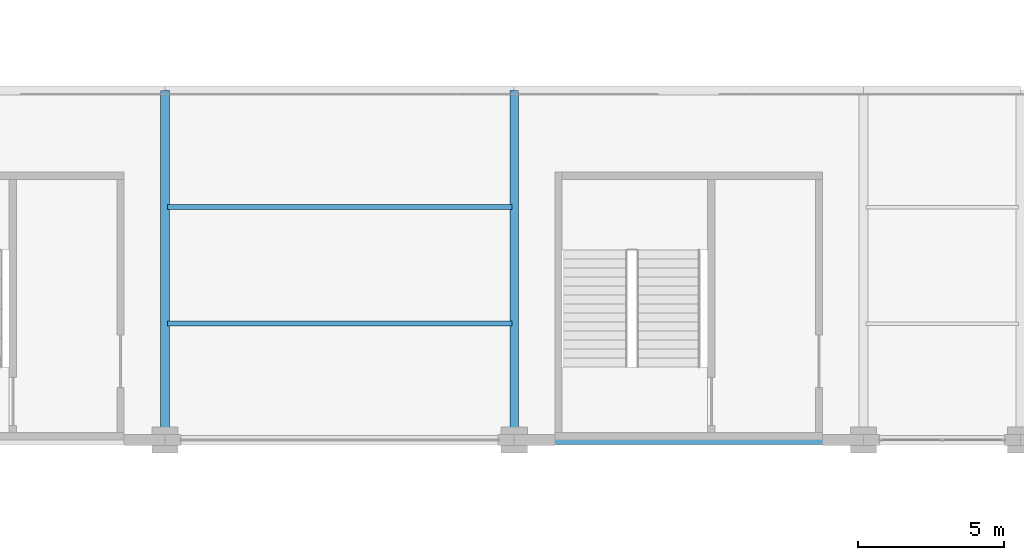
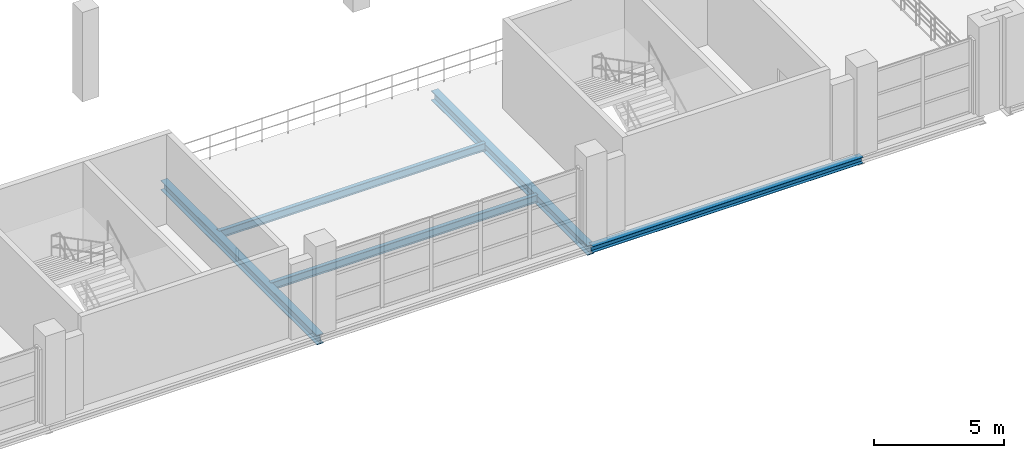
# One storey, part 99 of 158: 5 beams.
"""IFC4 building model written with IfcOpenShell, lengths in metres."""

import ifcopenshell
import ifcopenshell.guid

model = None  # the IFC model being written
_history = None  # IfcOwnerHistory: only IFC2X3 demands one
_inside = {}  # id of a spatial element -> (the spatial element, [elements in it])
_under = {}  # id of a project, library or spatial element -> (it, [spatial elements below it])
_declared = {}  # id of a project -> (the project, [libraries it declares])
_typed = {}  # id of a type object -> (the type object, [elements of that type])
_made_of = {}  # id of a material, layer set ... -> (it, [elements and type objects made of it])


def new_model(schema):
    """Start an empty IFC model of exactly this schema.

    Asked for "IFC4X3", IfcOpenShell would pick the latest addendum, in which some entities
    have other attributes; the version numbers below select the first issue.
    IFC2X3 requires an IfcOwnerHistory on every rooted entity: one is made here for all.
    """
    global model, _history
    if schema == "IFC4X3":
        model = ifcopenshell.file(schema_version=(4, 3, 0, 0))
    else:
        model = ifcopenshell.file(schema=schema)
    _inside.clear()
    _under.clear()
    _declared.clear()
    _typed.clear()
    _made_of.clear()
    _history = None
    if model.schema == "IFC2X3":
        org = make("IfcOrganization", Name="unknown")
        user = make(
            "IfcPersonAndOrganization",
            ThePerson=make("IfcPerson", FamilyName="unknown"),
            TheOrganization=org,
        )
        app = make(
            "IfcApplication",
            ApplicationDeveloper=org,
            Version="unknown",
            ApplicationFullName="unknown",
            ApplicationIdentifier="unknown",
        )
        _history = make(
            "IfcOwnerHistory",
            OwningUser=user,
            OwningApplication=app,
            ChangeAction="ADDED",
            CreationDate=0,
        )
    return model


def make(cls, **values):
    """One entity of the class cls with the attributes given. An attribute that is None is left unset."""
    return model.create_entity(
        cls, **{name: value for name, value in values.items() if value is not None}
    )


def rooted(cls, **values):
    """An entity with a GlobalId (a new one), such as an element, a storey or a relation."""
    return make(cls, GlobalId=ifcopenshell.guid.new(), OwnerHistory=_history, **values)


def si_unit(unit_type, name, prefix=None):
    """IfcSIUnit, for example si_unit("LENGTHUNIT", "METRE", prefix="MILLI")."""
    return make("IfcSIUnit", UnitType=unit_type, Prefix=prefix, Name=name)


def assignment(units):
    """IfcUnitAssignment: the units of a project."""
    return None if units is None else make("IfcUnitAssignment", Units=units)


def point(xyz):
    """IfcCartesianPoint."""
    return None if xyz is None else make("IfcCartesianPoint", Coordinates=xyz)


def direction(xyz):
    """IfcDirection."""
    return None if xyz is None else make("IfcDirection", DirectionRatios=xyz)


def frame(location, z_axis=None, x_axis=None):
    """IfcAxis2Placement3D, a coordinate frame: its origin and axes. An axis left out is left unset."""
    return make(
        "IfcAxis2Placement3D",
        Location=point(location),
        Axis=direction(z_axis),
        RefDirection=direction(x_axis),
    )


def frame_2d(location, x_axis=None):
    """IfcAxis2Placement2D, a coordinate frame in the plane: its origin and x axis."""
    return make(
        "IfcAxis2Placement2D", Location=point(location), RefDirection=direction(x_axis)
    )


def origin():
    """The frame at (0, 0, 0) with its axes left unset."""
    return frame((0.0, 0.0, 0.0))


def origin_2d():
    """The frame at (0, 0) in the plane with its x axis left unset."""
    return frame_2d((0.0, 0.0))


def place(relative_to, where):
    """IfcLocalPlacement: puts the frame where relative to a parent placement (None: the world)."""
    return make(
        "IfcLocalPlacement", PlacementRelTo=relative_to, RelativePlacement=where
    )


def context(
    kind, dimensions, precision=None, world=None, true_north=None, identifier=None
):
    """IfcGeometricRepresentationContext, for example the 3D "Model" context."""
    return make(
        "IfcGeometricRepresentationContext",
        ContextIdentifier=identifier,
        ContextType=kind,
        CoordinateSpaceDimension=dimensions,
        Precision=precision,
        WorldCoordinateSystem=world,
        TrueNorth=true_north,
    )


def subcontext(parent, identifier, kind, view, scale=None):
    """IfcGeometricRepresentationSubContext, for example "Body" below "Model"."""
    return make(
        "IfcGeometricRepresentationSubContext",
        ContextIdentifier=identifier,
        ContextType=kind,
        ParentContext=parent,
        TargetScale=scale,
        TargetView=view,
    )


def project(units=None, contexts=None):
    """IfcProject with its units and contexts."""
    return rooted(
        "IfcProject",
        Name="project",
        RepresentationContexts=contexts,
        UnitsInContext=assignment(units),
    )


def spatial(cls, under=None, at=None, **own):
    """A site, building, storey or space (cls), placed at a placement, below another one or the project."""
    s = rooted(cls, ObjectPlacement=at, **own)
    if under is not None:
        _under.setdefault(under.id(), (under, []))[1].append(s)
    return s


def profile(cls, at=None, kind="AREA", **sizes):
    """A parametric profile (cls). Its sizes go by their IFC names, for example OverallWidth=200.0."""
    return make(cls, ProfileType=kind, Position=at, **sizes)


def i_section(**sizes):
    """IfcIShapeProfileDef."""
    return profile("IfcIShapeProfileDef", **sizes)


def extrude(swept, where, along, depth):
    """IfcExtrudedAreaSolid: the profile swept, set in the frame where, extruded along a direction by depth."""
    return make(
        "IfcExtrudedAreaSolid",
        SweptArea=swept,
        Position=where,
        ExtrudedDirection=direction(along),
        Depth=depth,
    )


def shape(context_of_items, identifier, shape_type, items):
    """IfcShapeRepresentation: the items that make up one representation, for example the "Body"."""
    return make(
        "IfcShapeRepresentation",
        ContextOfItems=context_of_items,
        RepresentationIdentifier=identifier,
        RepresentationType=shape_type,
        Items=items,
    )


def material(Name=None, Category=None):
    """IfcMaterial."""
    return make("IfcMaterial", Name=Name, Category=Category)


def material_profile(
    of_material, cross_section, Name=None, Category=None, Priority=None
):
    """IfcMaterialProfile: a cross section and its material."""
    return make(
        "IfcMaterialProfile",
        Name=Name,
        Material=of_material,
        Profile=cross_section,
        Priority=Priority,
        Category=Category,
    )


def profile_set(profiles, Name=None, composite=None):
    """IfcMaterialProfileSet."""
    return make(
        "IfcMaterialProfileSet",
        Name=Name,
        MaterialProfiles=profiles,
        CompositeProfile=composite,
    )


def made_of(thing, what):
    """Note that an element or type object is made of a material, layer set ...; save() writes the relation."""
    if what is not None:
        _made_of.setdefault(what.id(), (what, []))[1].append(thing)
    return thing


def type_object(cls, material=None, **own):
    """A type object (cls), such as IfcWallType, which elements share."""
    return made_of(rooted(cls, **own), material)


def element(
    cls,
    number,
    at=None,
    inside=None,
    cuts=None,
    type_object=None,
    material=None,
    context=None,
    identifier="Body",
    shape_type=None,
    held_by="IfcProductDefinitionShape",
    body=None,
    shapes=None,
    **own,
):
    """One element of the class cls, such as IfcWall. Its Tag is "e" and its number.

    at: its placement. inside: the storey or other place that contains it. cuts: it is an
    opening in that element (IfcRelVoidsElement). A single representation is given by context,
    identifier, shape_type and body (its items); several are given by shapes. held_by: the class
    of the entity that holds the representations. save() writes the other relations.
    """
    e = rooted(cls, Tag="e%d" % number, ObjectPlacement=at, **own)
    if body is not None:
        shapes = [shape(context, identifier, shape_type, body)]
    if shapes is not None:
        e.Representation = make(held_by, Representations=shapes)
    if inside is not None:
        _inside.setdefault(inside.id(), (inside, []))[1].append(e)
    if cuts is not None:
        rooted(
            "IfcRelVoidsElement", RelatingBuildingElement=cuts, RelatedOpeningElement=e
        )
    if type_object is not None:
        _typed.setdefault(type_object.id(), (type_object, []))[1].append(e)
    return made_of(e, material)


def aggregate(whole, parts):
    """IfcRelAggregates: a whole, such as a stair, and the parts it consists of."""
    return rooted("IfcRelAggregates", RelatingObject=whole, RelatedObjects=parts)


def save(model, path):
    """Write the relations noted so far, then the file.

    IfcRelAggregates (storeys below a building ...), IfcRelContainedInSpatialStructure (elements
    in a storey), IfcRelDefinesByType, IfcRelAssociatesMaterial and IfcRelDeclares: one each for
    every whole, place, type object, material and project.
    """
    for whole, parts in _under.values():
        aggregate(whole, parts)
    for where, things in _inside.values():
        rooted(
            "IfcRelContainedInSpatialStructure",
            RelatedElements=things,
            RelatingStructure=where,
        )
    for kind, things in _typed.values():
        rooted("IfcRelDefinesByType", RelatedObjects=things, RelatingType=kind)
    for what, things in _made_of.values():
        rooted("IfcRelAssociatesMaterial", RelatedObjects=things, RelatingMaterial=what)
    for by, libraries in _declared.values():
        rooted("IfcRelDeclares", RelatingContext=by, RelatedDefinitions=libraries)
    model.write(path)


model = new_model("IFC4")

# Units and contexts
model_context = context("Model", 3, precision=1e-05, world=origin(), true_north=direction((0.0, 1.0)))
body_context = subcontext(model_context, "Body", "Model", "MODEL_VIEW")
ifc_project = project(units=[si_unit("LENGTHUNIT", "METRE"), si_unit("AREAUNIT", "SQUARE_METRE"), si_unit("VOLUMEUNIT", "CUBIC_METRE"), si_unit("PLANEANGLEUNIT", "RADIAN"), si_unit("MASSUNIT", "GRAM", prefix="KILO")], contexts=[model_context])

# Site, building, storey
site_placement = place(None, origin())
site = spatial("IfcSite", under=ifc_project, at=site_placement, CompositionType="ELEMENT")
building_placement = place(site_placement, origin())
building = spatial("IfcBuilding", under=site, at=building_placement, Name="Zilviju Railside Exhibition Hall", CompositionType="ELEMENT")
storey_placement = place(building_placement, frame((0.0, 0.0, 4.199951171875)))
storey = spatial("IfcBuildingStorey", under=building, at=storey_placement, Name="L02", CompositionType="ELEMENT", Elevation=4.199951171875)

# Beams
ifc_material = material(Name="Steel S355J2", Category="steel")
ifc_material_profile_1 = material_profile(ifc_material, i_section(OverallWidth=0.300048828125, OverallDepth=0.2900390625, WebThickness=0.008544921875, FlangeThickness=0.013916015625, at=origin_2d()), Name="HEA 300")
ifc_profile_set_1 = profile_set([ifc_material_profile_1], Name="Steel S355J2")
beam_type_1 = type_object("IfcBeamType", Name="BM-HEA300", PredefinedType="SPANDREL", material=ifc_profile_set_1)
beam_placement = place(storey_placement, frame((156.0, 84.0, -0.474853515625), z_axis=(1.0, 0.0, 0.0), x_axis=(0.0, 1.0, 0.0)))
element("IfcBeam", 1, at=beam_placement, inside=storey, type_object=beam_type_1, Name="Primary Girder L02 Y=84.0 (156.0..168.0)", PredefinedType="SPANDREL", context=body_context, shape_type="SweptSolid", body=[
    extrude(i_section(OverallWidth=0.300048828125, OverallDepth=0.2900390625, WebThickness=0.008544921875, FlangeThickness=0.013916015625, at=origin_2d()), origin(), (0.0, 0.0, 1.0), 12.0),
])
ifc_material_profile_2 = material_profile(ifc_material, i_section(OverallWidth=0.300048828125, OverallDepth=0.449951171875, WebThickness=0.013916015625, FlangeThickness=0.02587890625, at=origin_2d()), Name="HEB 450")
ifc_profile_set_2 = profile_set([ifc_material_profile_2], Name="Steel S355J2")
beam_type_2 = type_object("IfcBeamType", Name="BM-HEB450", PredefinedType="BEAM", material=ifc_profile_set_2)
for number, where, z_axis, x_axis, name in (
    (2, (144.0, 84.0, -0.554931640625), (0.0, 1.0, 0.0), (-1.0, 0.0, 0.0), "Transverse Girder L02 X=144.0 (84.0..96.0)"),
    (3, (156.0, 84.0, -0.554931640625), (0.0, 1.0, 0.0), (-1.0, 0.0, 0.0), "Transverse Girder L02 X=156.0 (84.0..96.0)"),
):
    element("IfcBeam", number, at=place(storey_placement, frame(where, z_axis=z_axis, x_axis=x_axis)), inside=storey, type_object=beam_type_2, Name=name, PredefinedType="BEAM", context=body_context, shape_type="SweptSolid", body=[
        extrude(i_section(OverallWidth=0.300048828125, OverallDepth=0.449951171875, WebThickness=0.013916015625, FlangeThickness=0.02587890625, at=origin_2d()), origin(), (0.0, 0.0, 1.0), 12.0),
    ])
ifc_material_profile_3 = material_profile(ifc_material, i_section(OverallWidth=0.169921875, OverallDepth=0.360107421875, WebThickness=0.008056640625, FlangeThickness=0.0126953125, at=origin_2d()), Name="IPE 360")
ifc_profile_set_3 = profile_set([ifc_material_profile_3], Name="Steel S355J2")
beam_type_3 = type_object("IfcBeamType", Name="BM-IPE360", PredefinedType="JOIST", material=ifc_profile_set_3)
for number, where, z_axis, x_axis, name in (
    (4, (144.080078125, 88.0, -0.510009765625), (1.0, 0.0, 0.0), (0.0, 1.0, 0.0), "Composite Floor Joist L02 Y=88.00 (144.0..156.0)"),
    (5, (144.080078125, 92.0, -0.510009765625), (1.0, 0.0, 0.0), (0.0, 1.0, 0.0), "Composite Floor Joist L02 Y=92.00 (144.0..156.0)"),
):
    element("IfcBeam", number, at=place(storey_placement, frame(where, z_axis=z_axis, x_axis=x_axis)), inside=storey, type_object=beam_type_3, Name=name, PredefinedType="JOIST", context=body_context, shape_type="SweptSolid", body=[
        extrude(i_section(OverallWidth=0.169921875, OverallDepth=0.360107421875, WebThickness=0.008056640625, FlangeThickness=0.0126953125, at=origin_2d()), origin(), (0.0, 0.0, 1.0), 11.83984375),
    ])

save(model, "model.ifc")
